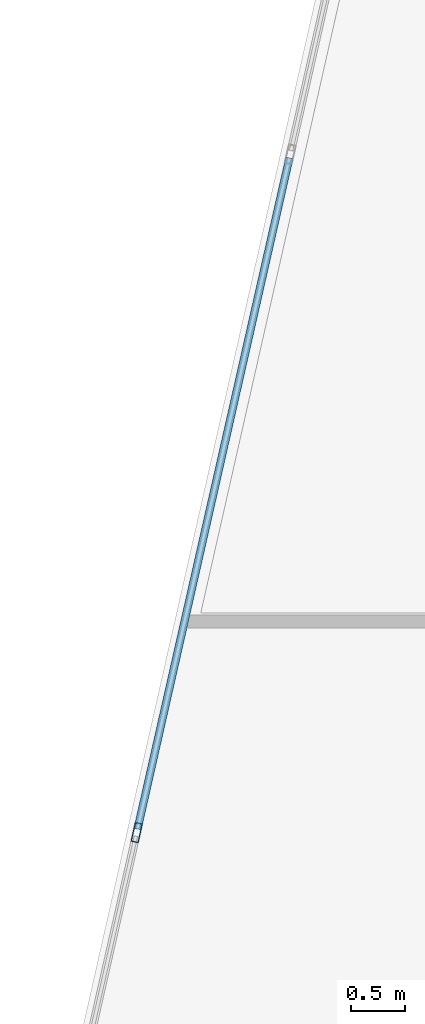
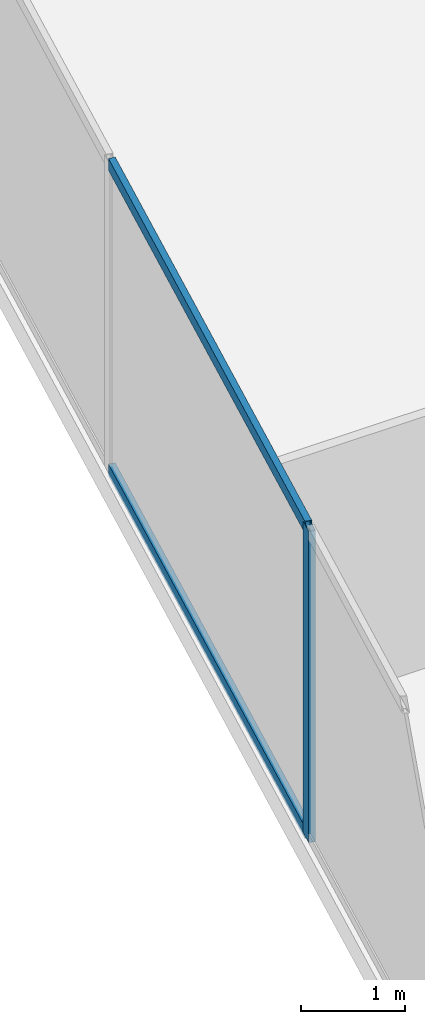
# One storey, part 8 of 27: 3 members, 1 element without a shape of its own.
"""IFC4 building model written with IfcOpenShell, lengths in metres."""

from ifc_helpers import new_model, si_unit, direction, frame, origin, origin_2d, place, context, subcontext, project, spatial, hollow_rectangle, extrude, source, transform, mapped, material, material_profile, profile_set, type_object, type_shapes, element, aggregate, save


model = new_model("IFC4")

# Units and contexts
model_context = context("Model", 3, precision=1e-05, world=origin(), true_north=direction((0.0, 1.0)))
body_context = subcontext(model_context, "Body", "Model", "MODEL_VIEW")
ifc_project = project(units=[si_unit("LENGTHUNIT", "METRE"), si_unit("AREAUNIT", "SQUARE_METRE"), si_unit("VOLUMEUNIT", "CUBIC_METRE"), si_unit("PLANEANGLEUNIT", "RADIAN"), si_unit("MASSUNIT", "GRAM", prefix="KILO")], contexts=[model_context])

# Site, building, storey
site_placement = place(None, origin())
site = spatial("IfcSite", under=ifc_project, at=site_placement, CompositionType="ELEMENT")
building_placement = place(site_placement, origin())
building = spatial("IfcBuilding", under=site, at=building_placement, Name="Krantzveldt Concourse Tower", CompositionType="ELEMENT")
storey_placement = place(building_placement, frame((0.0, 0.0, 86.10009765625)))
storey = spatial("IfcBuildingStorey", under=building, at=storey_placement, Name="L20", CompositionType="ELEMENT", Elevation=86.10009765625)

# Curtain wall, members
ifc_material = material(Name="Anodised aluminium 6063-T6", Category="aluminium")
curtain_wall_type = type_object("IfcCurtainWallType", Name="CW2", PredefinedType="USERDEFINED", material=ifc_material)
curtain_wall_placement = place(storey_placement, origin())
curtain_wall = element("IfcCurtainWall", 1, at=curtain_wall_placement, inside=storey, type_object=curtain_wall_type, Name="CW-L20-F01", ObjectType="UNITISED CURTAIN WALL", PredefinedType="USERDEFINED")
ifc_material_profile_1 = material_profile(ifc_material, hollow_rectangle(XDim=0.070068359375, YDim=0.179931640625, WallThickness=0.0048828125, at=origin_2d()), Name="Anodised aluminium 6063-T6", Category="aluminium")
ifc_profile_set_1 = profile_set([ifc_material_profile_1], Name="Anodised aluminium 6063-T6 - ALU-MULL 180x70x5")
member_type_1 = type_object("IfcMemberType", Name="CW-MUL-180", PredefinedType="MULLION", material=ifc_profile_set_1)
shared_shape_1 = source(origin(), body_context, "Body", "SweptSolid", [
    extrude(hollow_rectangle(XDim=0.070068359375, YDim=0.179931640625, WallThickness=0.0048828125, at=origin_2d()), origin(), (0.0, 0.0, 1.0), 3.669921875),
])
type_shapes(member_type_1, [shared_shape_1])
member_1_placement = place(storey_placement, frame((11.837646484375, 25.537353515625, 0.0), z_axis=(0.0, 0.0, 1.0), x_axis=(0.975342320609, -0.220697434579, 0.0)))
member_1 = element("IfcMember", 2, at=member_1_placement, type_object=member_type_1, Name="CW-Z12 mullion 5", PredefinedType="MULLION", context=body_context, shape_type="MappedRepresentation", body=[
    mapped(shared_shape_1, transform((0.0, 0.0, 0.0), x_axis=(1.0, 0.0, 0.0), y_axis=(0.0, 1.0, 0.0), z_axis=(0.0, 0.0, 1.0), scale=1.0)),
])
ifc_material_profile_2 = material_profile(ifc_material, hollow_rectangle(XDim=0.070068359375, YDim=0.139892578125, WallThickness=0.0048828125, at=origin_2d()), Name="Anodised aluminium 6063-T6", Category="aluminium")
ifc_profile_set_2 = profile_set([ifc_material_profile_2], Name="Anodised aluminium 6063-T6 - ALU-TRAN 140x70x5")
member_type_2 = type_object("IfcMemberType", Name="CW-TRN-150", PredefinedType="USERDEFINED", material=ifc_profile_set_2)
shared_shape_2 = source(origin(), body_context, "Body", "SweptSolid", [
    extrude(hollow_rectangle(XDim=0.070068359375, YDim=0.139892578125, WallThickness=0.0048828125, at=origin_2d()), origin(), (0.0, 0.0, 1.0), 6.396728515625),
])
type_shapes(member_type_2, [shared_shape_2])
member_2_placement = place(storey_placement, frame((13.257080078125, 31.810302734375, 0.034912109375), z_axis=(-0.220715365874, -0.975338262998, 0.0), x_axis=(0.975338262998, -0.220715365874, 0.0)))
member_2 = element("IfcMember", 3, at=member_2_placement, type_object=member_type_2, Name="CW-Z12 transom 4.1", ObjectType="TRANSOM", PredefinedType="USERDEFINED", context=body_context, shape_type="MappedRepresentation", body=[
    mapped(shared_shape_2, transform((0.0, 0.0, 0.0), x_axis=(1.0, 0.0, 0.0), y_axis=(0.0, 1.0, 0.0), z_axis=(0.0, 0.0, 1.0), scale=1.0)),
])
member_3_placement = place(storey_placement, frame((13.257080078125, 31.810302734375, 3.635009765625), z_axis=(-0.220715365874, -0.975338262998, 0.0), x_axis=(0.975338262998, -0.220715365874, 0.0)))
member_3 = element("IfcMember", 4, at=member_3_placement, type_object=member_type_2, Name="CW-Z12 transom 4.2", ObjectType="TRANSOM", PredefinedType="USERDEFINED", context=body_context, shape_type="MappedRepresentation", body=[
    mapped(shared_shape_2, transform((0.0, 0.0, 0.0), x_axis=(1.0, 0.0, 0.0), y_axis=(0.0, 1.0, 0.0), z_axis=(0.0, 0.0, 1.0), scale=1.0)),
])
aggregate(curtain_wall, [member_1, member_2, member_3])

save(model, "model.ifc")
